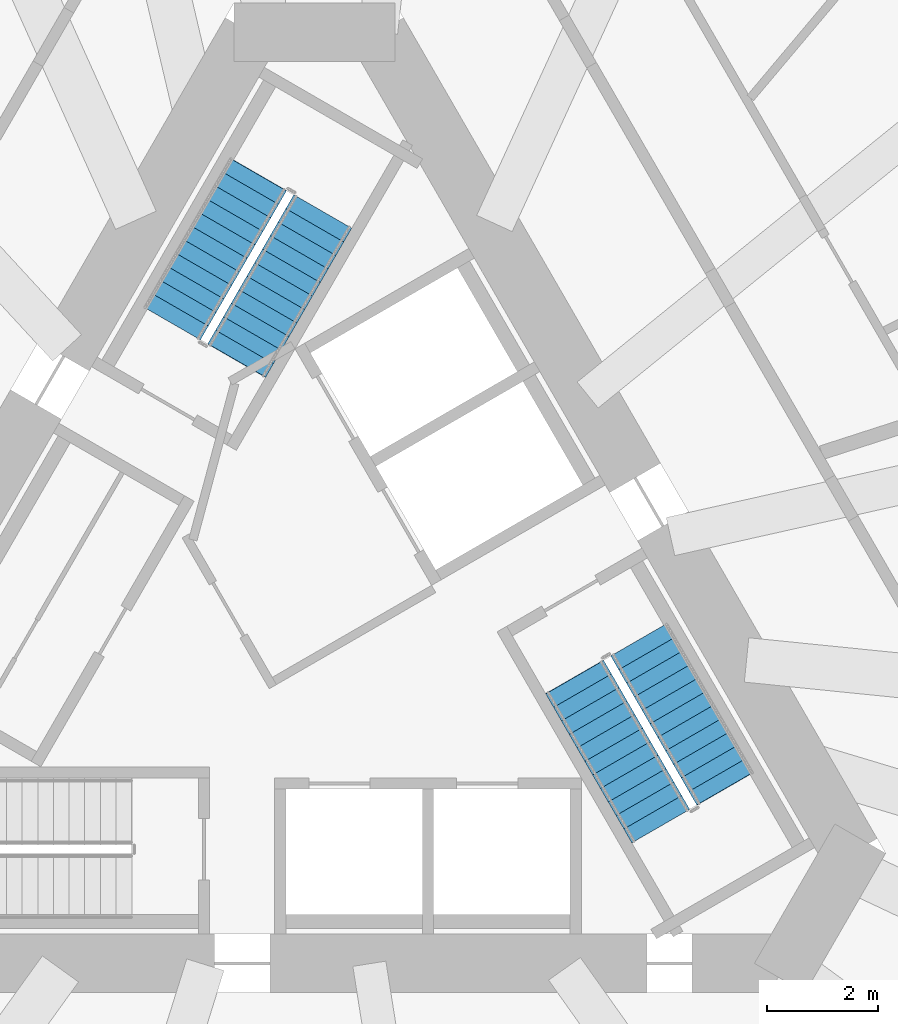
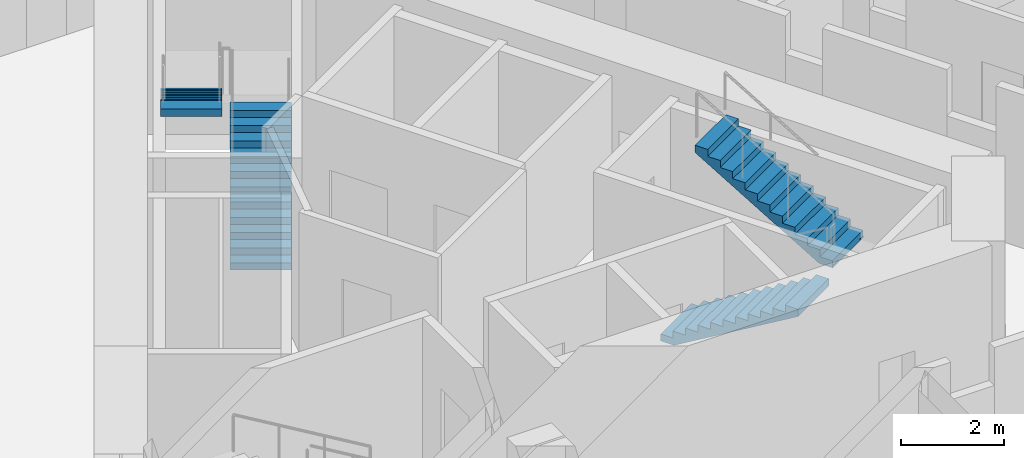
# One storey, part 10 of 14: 4 stair flights, 2 elements without a shape of their own.
"""IFC4 building model written with IfcOpenShell, lengths in metres."""

from ifc_helpers import new_model, si_unit, direction, frame, origin, place, context, subcontext, project, spatial, polyline, outline, extrude, material, layer, layer_set, type_object, element, aggregate, save


model = new_model("IFC4")

# Units and contexts
model_context = context("Model", 3, precision=1e-05, world=origin(), true_north=direction((0.0, 1.0)))
body_context = subcontext(model_context, "Body", "Model", "MODEL_VIEW")
ifc_project = project(units=[si_unit("LENGTHUNIT", "METRE"), si_unit("AREAUNIT", "SQUARE_METRE"), si_unit("VOLUMEUNIT", "CUBIC_METRE"), si_unit("PLANEANGLEUNIT", "RADIAN"), si_unit("MASSUNIT", "GRAM", prefix="KILO")], contexts=[model_context])

# Site, building, storey
site_placement = place(None, origin())
site = spatial("IfcSite", under=ifc_project, at=site_placement, CompositionType="ELEMENT")
building_placement = place(site_placement, origin())
building = spatial("IfcBuilding", under=site, at=building_placement, Name="Tramontana Tower", CompositionType="ELEMENT")
storey_placement = place(building_placement, frame((0.0, 0.0, 79.199951171875)))
storey = spatial("IfcBuildingStorey", under=building, at=storey_placement, Name="L17", CompositionType="ELEMENT", Elevation=79.199951171875)

# Stair, stair flights
ifc_material_1 = material(Name="Concrete 40 MPa", Category="concrete")
stair_type = type_object("IfcStairType", Name="EXIT STAIR 24 RISERS", PredefinedType="HALF_TURN_STAIR", material=ifc_material_1)
stair_1_placement = place(storey_placement, origin())
stair_1 = element("IfcStair", 1, at=stair_1_placement, inside=storey, type_object=stair_type, Name="L17 Exit stair ST1", PredefinedType="HALF_TURN_STAIR")
ifc_material_2 = material(Name="Concrete 40 MPa", Category="concrete")
ifc_layer = layer(ifc_material_2, 0.14990234375)
ifc_layer_set = layer_set([ifc_layer], Name="EXIT STAIR FLIGHT")
stair_flight_type = type_object("IfcStairFlightType", Name="EXIT STAIR FLIGHT", PredefinedType="STRAIGHT", material=ifc_layer_set)
stair_flight_1_placement = place(storey_placement, frame((-1.39111328125, 4.590576171875, 0.0), z_axis=(0.0, 0.0, 1.0), x_axis=(0.5, 0.866025403784, 0.0)))
stair_flight_1 = element("IfcStairFlight", 2, at=stair_flight_1_placement, type_object=stair_flight_type, Name="ST1 flight 1", NumberOfRisers=12, NumberOfTreads=11, PredefinedType="STRAIGHT", RiserHeight=0.166666667, TreadLength=0.28, context=body_context, shape_type="SweptSolid", body=[
    extrude(outline(polyline([(-0.006103515625, 0.0), (-0.006103515625, 0.0400390625), (0.0, 0.0400390625), (0.0, 0.166748046875), (0.280029296875, 0.166748046875), (0.280029296875, 0.333251953125), (0.56005859375, 0.333251953125), (0.56005859375, 0.5), (0.840087890625, 0.5), (0.840087890625, 0.666748046875), (1.1201171875, 0.666748046875), (1.1201171875, 0.833251953125), (1.39990234375, 0.833251953125), (1.39990234375, 1.0), (1.679931640625, 1.0), (1.679931640625, 1.166748046875), (1.9599609375, 1.166748046875), (1.9599609375, 1.333251953125), (2.239990234375, 1.333251953125), (2.239990234375, 1.5), (2.52001953125, 1.5), (2.52001953125, 1.666748046875), (2.800048828125, 1.666748046875), (2.800048828125, 1.833251953125), (3.080078125, 1.833251953125), (3.0859375, 1.833251953125), (3.0859375, 1.658935546875), (0.299072265625, 0.0), (-0.006103515625, 0.0)])), frame((0.0, 0.60009765625, 0.0), z_axis=(0.0, -1.0, 0.0), x_axis=(1.0, 0.0, 0.0)), (0.0, 0.0, 1.0), 1.199951171875),
])
stair_flight_2_placement = place(storey_placement, frame((-1.020263671875, 7.932861328125, 2.0), z_axis=(0.0, 0.0, 1.0), x_axis=(-0.5, -0.866025403784, 0.0)))
stair_flight_2 = element("IfcStairFlight", 3, at=stair_flight_2_placement, type_object=stair_flight_type, Name="ST1 flight 2", NumberOfRisers=12, NumberOfTreads=11, PredefinedType="STRAIGHT", RiserHeight=0.166666667, TreadLength=0.28, context=body_context, shape_type="SweptSolid", body=[
    extrude(outline(polyline([(-0.006103515625, 0.0), (-0.006103515625, 0.0400390625), (0.0, 0.0400390625), (0.0, 0.166748046875), (0.280029296875, 0.166748046875), (0.280029296875, 0.333251953125), (0.56005859375, 0.333251953125), (0.56005859375, 0.5), (0.840087890625, 0.5), (0.840087890625, 0.666748046875), (1.1201171875, 0.666748046875), (1.1201171875, 0.833251953125), (1.39990234375, 0.833251953125), (1.39990234375, 1.0), (1.679931640625, 1.0), (1.679931640625, 1.166748046875), (1.9599609375, 1.166748046875), (1.9599609375, 1.333251953125), (2.239990234375, 1.333251953125), (2.239990234375, 1.5), (2.52001953125, 1.5), (2.52001953125, 1.666748046875), (2.800048828125, 1.666748046875), (2.800048828125, 1.833251953125), (3.080078125, 1.833251953125), (3.0859375, 1.833251953125), (3.0859375, 1.658935546875), (0.299072265625, 0.0), (-0.006103515625, 0.0)])), frame((0.0, 0.60009765625, 0.0), z_axis=(0.0, -1.0, 0.0), x_axis=(1.0, 0.0, 0.0)), (0.0, 0.0, 1.0), 1.199951171875),
])
aggregate(stair_1, [stair_flight_1, stair_flight_2])

stair_2_placement = place(storey_placement, origin())
stair_2 = element("IfcStair", 4, at=stair_2_placement, inside=storey, type_object=stair_type, Name="L17 Exit stair ST3", PredefinedType="HALF_TURN_STAIR")
stair_flight_3_placement = place(storey_placement, frame((4.671142578125, -1.090576171875, 0.0), z_axis=(0.0, 0.0, 1.0), x_axis=(0.5, -0.866025403784, 0.0)))
stair_flight_3 = element("IfcStairFlight", 5, at=stair_flight_3_placement, type_object=stair_flight_type, Name="ST3 flight 1", NumberOfRisers=12, NumberOfTreads=11, PredefinedType="STRAIGHT", RiserHeight=0.166666667, TreadLength=0.28, context=body_context, shape_type="SweptSolid", body=[
    extrude(outline(polyline([(-0.006103515625, 0.0), (-0.006103515625, 0.0400390625), (0.0, 0.0400390625), (0.0, 0.166748046875), (0.280029296875, 0.166748046875), (0.280029296875, 0.333251953125), (0.56005859375, 0.333251953125), (0.56005859375, 0.5), (0.840087890625, 0.5), (0.840087890625, 0.666748046875), (1.1201171875, 0.666748046875), (1.1201171875, 0.833251953125), (1.39990234375, 0.833251953125), (1.39990234375, 1.0), (1.679931640625, 1.0), (1.679931640625, 1.166748046875), (1.9599609375, 1.166748046875), (1.9599609375, 1.333251953125), (2.239990234375, 1.333251953125), (2.239990234375, 1.5), (2.52001953125, 1.5), (2.52001953125, 1.666748046875), (2.800048828125, 1.666748046875), (2.800048828125, 1.833251953125), (3.080078125, 1.833251953125), (3.0859375, 1.833251953125), (3.0859375, 1.658935546875), (0.299072265625, 0.0), (-0.006103515625, 0.0)])), frame((0.0, 0.60009765625, 0.0), z_axis=(0.0, -1.0, 0.0), x_axis=(1.0, 0.0, 0.0)), (0.0, 0.0, 1.0), 1.199951171875),
])
stair_flight_4_placement = place(storey_placement, frame((7.380126953125, -3.0830078125, 2.0), z_axis=(0.0, 0.0, 1.0), x_axis=(-0.5, 0.866025403784, 0.0)))
stair_flight_4 = element("IfcStairFlight", 6, at=stair_flight_4_placement, type_object=stair_flight_type, Name="ST3 flight 2", NumberOfRisers=12, NumberOfTreads=11, PredefinedType="STRAIGHT", RiserHeight=0.166666667, TreadLength=0.28, context=body_context, shape_type="SweptSolid", body=[
    extrude(outline(polyline([(-0.006103515625, 0.0), (-0.006103515625, 0.0400390625), (0.0, 0.0400390625), (0.0, 0.166748046875), (0.280029296875, 0.166748046875), (0.280029296875, 0.333251953125), (0.56005859375, 0.333251953125), (0.56005859375, 0.5), (0.840087890625, 0.5), (0.840087890625, 0.666748046875), (1.1201171875, 0.666748046875), (1.1201171875, 0.833251953125), (1.39990234375, 0.833251953125), (1.39990234375, 1.0), (1.679931640625, 1.0), (1.679931640625, 1.166748046875), (1.9599609375, 1.166748046875), (1.9599609375, 1.333251953125), (2.239990234375, 1.333251953125), (2.239990234375, 1.5), (2.52001953125, 1.5), (2.52001953125, 1.666748046875), (2.800048828125, 1.666748046875), (2.800048828125, 1.833251953125), (3.080078125, 1.833251953125), (3.0859375, 1.833251953125), (3.0859375, 1.658935546875), (0.299072265625, 0.0), (-0.006103515625, 0.0)])), frame((0.0, 0.60009765625, 0.0), z_axis=(0.0, -1.0, 0.0), x_axis=(1.0, 0.0, 0.0)), (0.0, 0.0, 1.0), 1.199951171875),
])
aggregate(stair_2, [stair_flight_3, stair_flight_4])

save(model, "model.ifc")
